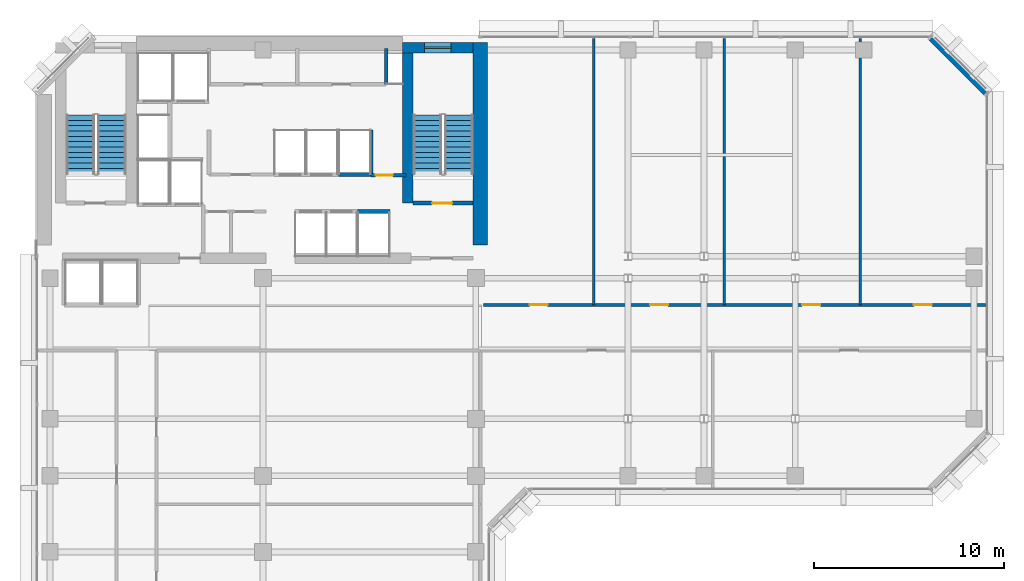
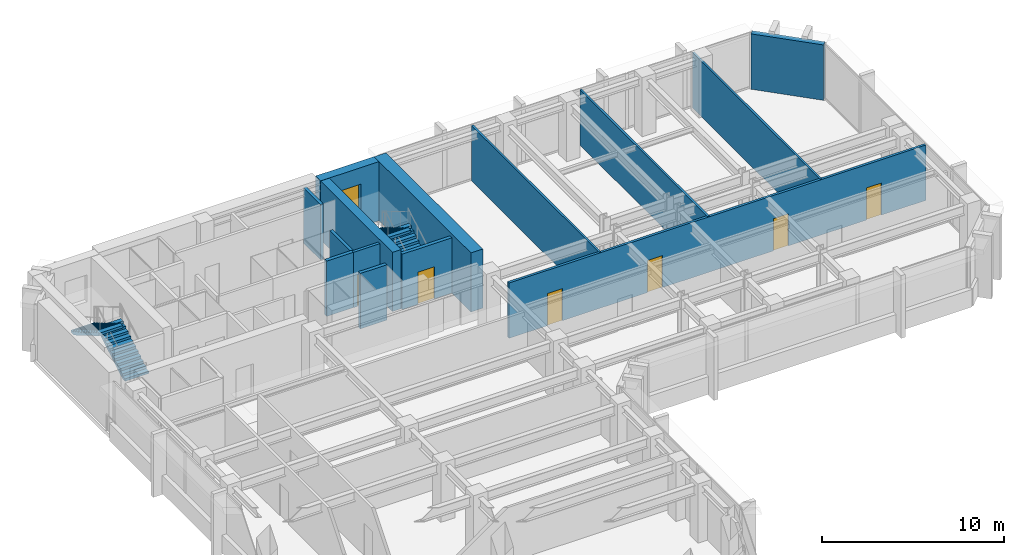
# One storey, part 8 of 11: 14 walls, 6 doors, 4 stair flights, 1 window, 7 openings, 2 elements without a shape of their own.
"""IFC4 building model written with IfcOpenShell, lengths in metres."""

from ifc_helpers import new_model, si_unit, direction, frame, frame_2d, origin, place, context, subcontext, project, spatial, polyline, rectangle, outline, extrude, material, layer, layer_set, type_object, element, fill, aggregate, save


model = new_model("IFC4")

# Units and contexts
model_context = context("Model", 3, precision=1e-05, world=origin(), true_north=direction((0.0, 1.0)))
body_context = subcontext(model_context, "Body", "Model", "MODEL_VIEW")
ifc_project = project(units=[si_unit("LENGTHUNIT", "METRE"), si_unit("AREAUNIT", "SQUARE_METRE"), si_unit("VOLUMEUNIT", "CUBIC_METRE"), si_unit("PLANEANGLEUNIT", "RADIAN"), si_unit("MASSUNIT", "GRAM", prefix="KILO")], contexts=[model_context])

# Site, building, storey
site_placement = place(None, origin())
site = spatial("IfcSite", under=ifc_project, at=site_placement, CompositionType="ELEMENT")
building_placement = place(site_placement, origin())
building = spatial("IfcBuilding", under=site, at=building_placement, Name="Kefirva Bronze Tower", CompositionType="ELEMENT")
storey_placement = place(building_placement, frame((0.0, 0.0, 138.929931640625)))
storey = spatial("IfcBuildingStorey", under=building, at=storey_placement, Name="L33", CompositionType="ELEMENT", Elevation=138.929931640625)

# Walls
ifc_material_1 = material(Name="Gypsum acoustic partition")
ifc_layer_1 = layer(ifc_material_1, 0.1298828125, Name="Gypsum acoustic partition")
ifc_layer_set_1 = layer_set([ifc_layer_1], Name="Gypsum acoustic partition")
wall_type_1 = type_object("IfcWallType", Name="Acoustic Office Partition 130mm", PredefinedType="PARTITIONING", material=ifc_layer_set_1)
for number, where, z_axis, x_axis, name in (
    (1, (29.41015625, 31.800048828125, 0.0), (0.0, 0.0, 1.0), (0.0, 1.0, 0.0), "L33 Partition W-L33-END1"),
    (2, (36.27685546875, 31.800048828125, 0.0), (0.0, 0.0, 1.0), (0.0, 1.0, 0.0), "L33 Partition W-L33-END2"),
    (3, (43.407470703125, 31.800048828125, 0.0), (0.0, 0.0, 1.0), (0.0, 1.0, 0.0), "L33 Partition W-L33-END3"),
):
    element("IfcWall", number, at=place(storey_placement, frame(where, z_axis=z_axis, x_axis=x_axis)), inside=storey, type_object=wall_type_1, Name=name, PredefinedType="PARTITIONING", context=body_context, shape_type="SweptSolid", body=[
        extrude(rectangle(XDim=14.010009765625, YDim=0.1298828125, at=frame_2d((7.0048828125, 0.0))), origin(), (0.0, 0.0, 1.0), 3.7099609375),
    ])

# Wall, opening, door
ifc_material_2 = material(Name="Gypsum fireboard shaftwall")
ifc_layer_2 = layer(ifc_material_2, 0.219970703125, Name="Gypsum fireboard shaftwall")
ifc_layer_set_2 = layer_set([ifc_layer_2], Name="Gypsum fireboard shaftwall")
wall_type_2 = type_object("IfcWallType", Name="Fire-Rated Shaft Enclosure Wall 220mm", PredefinedType="PARTITIONING", material=ifc_layer_set_2)
wall_1_placement = place(storey_placement, frame((19.89990234375, 37.14990234375, 0.0), z_axis=(0.0, 0.0, 1.0), x_axis=(1.0, 0.0, 0.0)))
wall_1 = element("IfcWall", 4, at=wall_1_placement, inside=storey, type_object=wall_type_2, Name="L33 Partition W-L33-ST2S", PredefinedType="PARTITIONING", context=body_context, shape_type="SweptSolid", body=[
    extrude(rectangle(XDim=3.150146484375, YDim=0.219970703125, at=frame_2d((1.5751953125, 0.0))), origin(), (0.0, 0.0, 1.0), 3.7099609375),
])
opening_1_placement = place(wall_1_placement, frame((2.050048828125, 0.0, 0.0), z_axis=(0.0, 0.0, 1.0), x_axis=(-1.0, 0.0, 0.0)))
opening_1 = element("IfcOpeningElement", 5, at=opening_1_placement, cuts=wall_1, Name="Opening L33-D003", PredefinedType="OPENING", context=body_context, shape_type="SweptSolid", body=[
    extrude(rectangle(XDim=1.050048828125, YDim=2.14990234375, at=frame_2d((0.52490234375, 1.074951171875))), frame((0.0, 0.1201171875, 0.0), z_axis=(0.0, -1.0, 0.0), x_axis=(1.0, 0.0, 0.0)), (0.0, 0.0, 1.0), 0.239990234375),
])
ifc_material_3 = material(Name="Painted galvanized steel", Category="steel")
door_type_1 = type_object("IfcDoorType", Name="Fire Stair Enclosure Door 1050x2150 FD90S", OperationType="NOTDEFINED", PredefinedType="DOOR", material=ifc_material_3)
door_1_placement = place(opening_1_placement, origin())
door_1 = element("IfcDoor", 6, at=door_1_placement, inside=storey, type_object=door_type_1, Name="Door L33-D003", OperationType="SINGLE_SWING_LEFT", OverallHeight=2.14990234375, OverallWidth=1.050048828125, PredefinedType="DOOR", context=body_context, shape_type="SweptSolid", body=[
    extrude(rectangle(XDim=1.050048828125, YDim=2.14990234375, at=frame_2d((0.52490234375, 1.074951171875))), frame((0.0, 0.02490234375, 0.0), z_axis=(0.0, -1.0, 0.0), x_axis=(1.0, 0.0, 0.0)), (0.0, 0.0, 1.0), 0.050048828125),
])
fill(opening_1, door_1)

# Walls
wall_2_placement = place(storey_placement, frame((17.679931640625, 38.64990234375, 0.0), z_axis=(0.0, 0.0, 1.0), x_axis=(0.0, 1.0, 0.0)))
element("IfcWall", 7, at=wall_2_placement, inside=storey, type_object=wall_type_2, Name="L33 Partition W-L33-HP2E", PredefinedType="PARTITIONING", context=body_context, shape_type="SweptSolid", body=[
    extrude(rectangle(XDim=2.35009765625, YDim=0.199951171875, at=frame_2d((1.175048828125, 0.0))), origin(), (0.0, 0.0, 1.0), 3.7099609375),
])
wall_3_placement = place(storey_placement, frame((16.97998046875, 36.699951171875, 0.0), z_axis=(0.0, 0.0, 1.0), x_axis=(1.0, 0.0, 0.0)))
element("IfcWall", 8, at=wall_3_placement, inside=storey, type_object=wall_type_2, Name="L33 Partition W-L33-HPS", PredefinedType="PARTITIONING", context=body_context, shape_type="SweptSolid", body=[
    extrude(rectangle(XDim=1.699951171875, YDim=0.219970703125, at=frame_2d((0.85009765625, 0.0))), origin(), (0.0, 0.0, 1.0), 3.7099609375),
])
wall_4_placement = place(storey_placement, frame((15.97998046875, 38.64990234375, 0.0), z_axis=(0.0, 0.0, 1.0), x_axis=(1.0, 0.0, 0.0)))
element("IfcWall", 9, at=wall_4_placement, inside=storey, type_object=wall_type_2, Name="L33 Partition W-L33-HPN", PredefinedType="PARTITIONING", context=body_context, shape_type="SweptSolid", body=[
    extrude(rectangle(XDim=1.719970703125, YDim=0.219970703125, at=frame_2d((0.85986328125, 0.0))), origin(), (0.0, 0.0, 1.0), 3.7099609375),
])

# Wall, opening, door
ifc_material_4 = material(Name="Gypsum fireboard barrier")
ifc_layer_3 = layer(ifc_material_4, 0.199951171875, Name="Gypsum fireboard barrier")
ifc_layer_set_3 = layer_set([ifc_layer_3], Name="Gypsum fireboard barrier")
wall_type_3 = type_object("IfcWallType", Name="Firefighting Lobby Barrier Wall 200mm", PredefinedType="PARTITIONING", material=ifc_layer_set_3)
wall_5_placement = place(storey_placement, frame((17.679931640625, 38.6201171875, 0.0), z_axis=(0.0, 0.0, 1.0), x_axis=(1.0, 0.0, 0.0)))
wall_5 = element("IfcWall", 10, at=wall_5_placement, inside=storey, type_object=wall_type_3, Name="L33 Partition W-L33-CPASS", PredefinedType="PARTITIONING", context=body_context, shape_type="SweptSolid", body=[
    extrude(rectangle(XDim=1.840087890625, YDim=0.179931640625, at=frame_2d((0.919921875, 0.0))), origin(), (0.0, 0.0, 1.0), 3.7099609375),
])
opening_2_placement = place(wall_5_placement, frame((0.239990234375, 0.0, 0.0)))
opening_2 = element("IfcOpeningElement", 11, at=opening_2_placement, cuts=wall_5, Name="Opening L33-D-CPAS", PredefinedType="OPENING", context=body_context, shape_type="SweptSolid", body=[
    extrude(rectangle(XDim=0.919921875, YDim=2.10009765625, at=frame_2d((0.4599609375, 1.050048828125))), frame((0.0, 0.10009765625, 0.0), z_axis=(0.0, -1.0, 0.0), x_axis=(1.0, 0.0, 0.0)), (0.0, 0.0, 1.0), 0.199951171875),
])
ifc_material_5 = material(Name="Moisture-resistant timber", Category="wood")
door_type_2 = type_object("IfcDoorType", Name="Accessible Sanitary & WC Door 920x2100", OperationType="NOTDEFINED", PredefinedType="DOOR", material=ifc_material_5)
door_2_placement = place(opening_2_placement, origin())
door_2 = element("IfcDoor", 12, at=door_2_placement, inside=storey, type_object=door_type_2, Name="Door L33-D-CPAS", OperationType="SINGLE_SWING_LEFT", OverallHeight=2.10009765625, OverallWidth=0.919921875, PredefinedType="DOOR", context=body_context, shape_type="SweptSolid", body=[
    extrude(rectangle(XDim=0.919921875, YDim=2.10009765625, at=frame_2d((0.4599609375, 1.050048828125))), frame((0.0, 0.02490234375, 0.0), z_axis=(0.0, -1.0, 0.0), x_axis=(1.0, 0.0, 0.0)), (0.0, 0.0, 1.0), 0.050048828125),
])
fill(opening_2, door_2)

# Wall
ifc_material_6 = material(Name="Precast concrete C40/50", Category="concrete")
ifc_layer_4 = layer(ifc_material_6, 0.320068359375, Name="Precast concrete C40/50")
ifc_layer_set_4 = layer_set([ifc_layer_4], Name="Precast concrete C40/50")
wall_type_4 = type_object("IfcWallType", Name="Precast Insulated Exterior Wall 320mm", PredefinedType="SOLIDWALL", material=ifc_layer_set_4)
wall_6_placement = place(storey_placement, frame((50.048095703125, 42.92578125, 0.0), z_axis=(0.0, 0.0, 1.0), x_axis=(-0.707136318428, 0.707077242712, 0.0)))
element("IfcWall", 13, at=wall_6_placement, inside=storey, type_object=wall_type_4, Name="L33 Exterior Facade Wall 4", PredefinedType="SOLIDWALL", context=body_context, shape_type="SweptSolid", body=[
    extrude(rectangle(XDim=4.132568359375, YDim=0.320068359375, at=frame_2d((2.06640625, 0.0))), origin(), (0.0, 0.0, 1.0), 3.7099609375),
])

# Wall, openings, doors
ifc_layer_5 = layer(ifc_material_1, 0.159912109375, Name="Gypsum acoustic partition")
ifc_layer_set_5 = layer_set([ifc_layer_5], Name="Gypsum acoustic partition")
wall_type_5 = type_object("IfcWallType", Name="Protected Corridor Partition 160mm", PredefinedType="PARTITIONING", material=ifc_layer_set_5)
wall_7_placement = place(storey_placement, frame((23.60009765625, 31.800048828125, 0.0), z_axis=(0.0, 0.0, 1.0), x_axis=(1.0, 0.0, 0.0)))
wall_7 = element("IfcWall", 14, at=wall_7_placement, inside=storey, type_object=wall_type_5, Name="L33 Partition W-L33-EWN", PredefinedType="PARTITIONING", context=body_context, shape_type="SweptSolid", body=[
    extrude(rectangle(XDim=26.409912109375, YDim=0.159912109375, at=frame_2d((13.205078125, 0.0))), origin(), (0.0, 0.0, 1.0), 3.7099609375),
])
opening_3_placement = place(wall_7_placement, frame((2.43017578125, 0.0, 0.0)))
opening_3 = element("IfcOpeningElement", 15, at=opening_3_placement, cuts=wall_7, Name="Opening L33-D-EN1", PredefinedType="OPENING", context=body_context, shape_type="SweptSolid", body=[
    extrude(rectangle(XDim=0.949951171875, YDim=2.14990234375, at=frame_2d((0.47509765625, 1.074951171875))), frame((0.0, 0.08984375, 0.0), z_axis=(0.0, -1.0, 0.0), x_axis=(1.0, 0.0, 0.0)), (0.0, 0.0, 1.0), 0.179931640625),
])
opening_4_placement = place(wall_7_placement, frame((8.7685546875, 0.0, 0.0)))
opening_4 = element("IfcOpeningElement", 16, at=opening_4_placement, cuts=wall_7, Name="Opening L33-D-EN2", PredefinedType="OPENING", context=body_context, shape_type="SweptSolid", body=[
    extrude(rectangle(XDim=0.949951171875, YDim=2.14990234375, at=frame_2d((0.47509765625, 1.074951171875))), frame((0.0, 0.08984375, 0.0), z_axis=(0.0, -1.0, 0.0), x_axis=(1.0, 0.0, 0.0)), (0.0, 0.0, 1.0), 0.179931640625),
])
opening_5_placement = place(wall_7_placement, frame((16.76708984375, 0.0, 0.0)))
opening_5 = element("IfcOpeningElement", 17, at=opening_5_placement, cuts=wall_7, Name="Opening L33-D-EN3", PredefinedType="OPENING", context=body_context, shape_type="SweptSolid", body=[
    extrude(rectangle(XDim=0.949951171875, YDim=2.14990234375, at=frame_2d((0.47509765625, 1.074951171875))), frame((0.0, 0.08984375, 0.0), z_axis=(0.0, -1.0, 0.0), x_axis=(1.0, 0.0, 0.0)), (0.0, 0.0, 1.0), 0.179931640625),
])
opening_6_placement = place(wall_7_placement, frame((22.6337890625, 0.0, 0.0)))
opening_6 = element("IfcOpeningElement", 18, at=opening_6_placement, cuts=wall_7, Name="Opening L33-D-EN4", PredefinedType="OPENING", context=body_context, shape_type="SweptSolid", body=[
    extrude(rectangle(XDim=0.949951171875, YDim=2.14990234375, at=frame_2d((0.47509765625, 1.074951171875))), frame((0.0, 0.08984375, 0.0), z_axis=(0.0, -1.0, 0.0), x_axis=(1.0, 0.0, 0.0)), (0.0, 0.0, 1.0), 0.179931640625),
])
ifc_material_7 = material(Name="Acoustic hardwood oak", Category="wood")
door_type_3 = type_object("IfcDoorType", Name="Office & Meeting Room Door 950x2150", OperationType="NOTDEFINED", PredefinedType="DOOR", material=ifc_material_7)
door_3_placement = place(opening_3_placement, origin())
door_3 = element("IfcDoor", 19, at=door_3_placement, inside=storey, type_object=door_type_3, Name="Door L33-D-EN1", OperationType="SINGLE_SWING_LEFT", OverallHeight=2.14990234375, OverallWidth=0.949951171875, PredefinedType="DOOR", context=body_context, shape_type="SweptSolid", body=[
    extrude(rectangle(XDim=0.949951171875, YDim=2.14990234375, at=frame_2d((0.47509765625, 1.074951171875))), frame((0.0, 0.02490234375, 0.0), z_axis=(0.0, -1.0, 0.0), x_axis=(1.0, 0.0, 0.0)), (0.0, 0.0, 1.0), 0.050048828125),
])
fill(opening_3, door_3)
door_4_placement = place(opening_4_placement, origin())
door_4 = element("IfcDoor", 20, at=door_4_placement, inside=storey, type_object=door_type_3, Name="Door L33-D-EN2", OperationType="SINGLE_SWING_RIGHT", OverallHeight=2.14990234375, OverallWidth=0.949951171875, PredefinedType="DOOR", context=body_context, shape_type="SweptSolid", body=[
    extrude(rectangle(XDim=0.949951171875, YDim=2.14990234375, at=frame_2d((0.47509765625, 1.074951171875))), frame((0.0, 0.02490234375, 0.0), z_axis=(0.0, -1.0, 0.0), x_axis=(1.0, 0.0, 0.0)), (0.0, 0.0, 1.0), 0.050048828125),
])
fill(opening_4, door_4)
door_5_placement = place(opening_5_placement, origin())
door_5 = element("IfcDoor", 21, at=door_5_placement, inside=storey, type_object=door_type_3, Name="Door L33-D-EN3", OperationType="SINGLE_SWING_LEFT", OverallHeight=2.14990234375, OverallWidth=0.949951171875, PredefinedType="DOOR", context=body_context, shape_type="SweptSolid", body=[
    extrude(rectangle(XDim=0.949951171875, YDim=2.14990234375, at=frame_2d((0.47509765625, 1.074951171875))), frame((0.0, 0.02490234375, 0.0), z_axis=(0.0, -1.0, 0.0), x_axis=(1.0, 0.0, 0.0)), (0.0, 0.0, 1.0), 0.050048828125),
])
fill(opening_5, door_5)
door_6_placement = place(opening_6_placement, origin())
door_6 = element("IfcDoor", 22, at=door_6_placement, inside=storey, type_object=door_type_3, Name="Door L33-D-EN4", OperationType="SINGLE_SWING_RIGHT", OverallHeight=2.14990234375, OverallWidth=0.949951171875, PredefinedType="DOOR", context=body_context, shape_type="SweptSolid", body=[
    extrude(rectangle(XDim=0.949951171875, YDim=2.14990234375, at=frame_2d((0.47509765625, 1.074951171875))), frame((0.0, 0.02490234375, 0.0), z_axis=(0.0, -1.0, 0.0), x_axis=(1.0, 0.0, 0.0)), (0.0, 0.0, 1.0), 0.050048828125),
])
fill(opening_6, door_6)

# Wall, opening, window
ifc_material_8 = material(Name="Concrete C50/60", Category="concrete")
ifc_layer_6 = layer(ifc_material_8, 0.550048828125, Name="Concrete C50/60")
ifc_layer_set_6 = layer_set([ifc_layer_6], Name="Concrete C50/60")
wall_type_6 = type_object("IfcWallType", Name="RC Rear Core Exterior Wall 550mm", PredefinedType="SHEAR", material=ifc_layer_set_6)
wall_8_placement = place(storey_placement, frame((19.35009765625, 45.320068359375, 0.0), z_axis=(0.0, 0.0, 1.0), x_axis=(1.0, 0.0, 0.0)))
wall_8 = element("IfcWall", 23, at=wall_8_placement, inside=storey, type_object=wall_type_6, Name="L33 Stair 2 North Shear Wall", PredefinedType="SHEAR", context=body_context, shape_type="SweptSolid", body=[
    extrude(rectangle(XDim=3.68994140625, YDim=0.550048828125, at=frame_2d((1.844970703125, 0.0))), origin(), (0.0, 0.0, 1.0), 3.9599609375),
])
opening_7_placement = place(wall_8_placement, frame((1.14990234375, 0.0, 1.050048828125)))
opening_7 = element("IfcOpeningElement", 24, at=opening_7_placement, cuts=wall_8, Name="Opening WN-03", PredefinedType="OPENING", context=body_context, shape_type="SweptSolid", body=[
    extrude(rectangle(XDim=1.39990234375, YDim=1.800048828125, at=frame_2d((0.699951171875, 0.89990234375))), frame((0.0, 0.28515625, 0.0), z_axis=(0.0, -1.0, 0.0), x_axis=(1.0, 0.0, 0.0)), (0.0, 0.0, 1.0), 0.570068359375),
])
ifc_material_9 = material(Name="Laminated low-E double glazing", Category="glass")
window_type = type_object("IfcWindowType", Name="Rear-Core Stair Daylight Window 1400x1800", PartitioningType="SINGLE_PANEL", PredefinedType="WINDOW", material=ifc_material_9)
window_placement = place(opening_7_placement, origin())
window = element("IfcWindow", 25, at=window_placement, inside=storey, type_object=window_type, Name="L33 Stair 2 Daylight Window", OverallHeight=1.800048828125, OverallWidth=1.39990234375, PartitioningType="SINGLE_PANEL", PredefinedType="WINDOW", context=body_context, shape_type="SweptSolid", body=[
    extrude(rectangle(XDim=1.39990234375, YDim=1.800048828125, at=frame_2d((0.699951171875, 0.89990234375))), frame((0.0, 0.030029296875, 0.0), z_axis=(0.0, -1.0, 0.0), x_axis=(1.0, 0.0, 0.0)), (0.0, 0.0, 1.0), 0.06005859375),
])
fill(opening_7, window)

# Walls
ifc_layer_7 = layer(ifc_material_8, 0.550048828125, Name="Concrete C50/60")
ifc_layer_set_7 = layer_set([ifc_layer_7], Name="Concrete C50/60")
wall_type_7 = type_object("IfcWallType", Name="RC Rear Core Interior Wall 550mm", PredefinedType="SHEAR", material=ifc_layer_set_7)
wall_9_placement = place(storey_placement, frame((19.6201171875, 37.14990234375, 0.0), z_axis=(0.0, 0.0, 1.0), x_axis=(0.0, 1.0, 0.0)))
element("IfcWall", 26, at=wall_9_placement, inside=storey, type_object=wall_type_7, Name="L33 Stair 2 West Shear Wall", PredefinedType="SHEAR", context=body_context, shape_type="SweptSolid", body=[
    extrude(rectangle(XDim=7.89013671875, YDim=0.550048828125, at=frame_2d((3.945068359375, 0.0))), origin(), (0.0, 0.0, 1.0), 3.9599609375),
])
ifc_material_10 = material(Name="Concrete C60/75", Category="concrete")
ifc_layer_8 = layer(ifc_material_10, 0.75, Name="Concrete C60/75")
ifc_layer_set_8 = layer_set([ifc_layer_8], Name="Concrete C60/75")
wall_type_8 = type_object("IfcWallType", Name="RC Rear Core Interior Wall 750mm", PredefinedType="SHEAR", material=ifc_layer_set_8)
wall_10_placement = place(storey_placement, frame((23.425048828125, 34.949951171875, 0.0), z_axis=(0.0, 0.0, 1.0), x_axis=(0.0, 1.0, 0.0)))
element("IfcWall", 27, at=wall_10_placement, inside=storey, type_object=wall_type_8, Name="L33 Rear Core East Shear Wall", PredefinedType="SHEAR", context=body_context, shape_type="SweptSolid", body=[
    extrude(rectangle(XDim=10.64013671875, YDim=0.75, at=frame_2d((5.320068359375, 0.0))), origin(), (0.0, 0.0, 1.0), 3.9599609375),
])
ifc_material_11 = material(Name="Moisture-resistant partition")
ifc_layer_9 = layer(ifc_material_11, 0.179931640625, Name="Moisture-resistant partition")
ifc_layer_set_9 = layer_set([ifc_layer_9], Name="Moisture-resistant partition")
wall_type_9 = type_object("IfcWallType", Name="Sanitary Plumbing Chase Wall 180mm", PredefinedType="PLUMBINGWALL", material=ifc_layer_set_9)
wall_11_placement = place(storey_placement, frame((18.47998046875, 43.39990234375, 0.0), z_axis=(0.0, 0.0, 1.0), x_axis=(0.0, 1.0, 0.0)))
element("IfcWall", 28, at=wall_11_placement, inside=storey, type_object=wall_type_9, Name="L33 Partition W-L33-SVCE", PredefinedType="PLUMBINGWALL", context=body_context, shape_type="SweptSolid", body=[
    extrude(rectangle(XDim=1.880126953125, YDim=0.179931640625, at=frame_2d((0.93994140625, 0.0))), origin(), (0.0, 0.0, 1.0), 3.7099609375),
])

# Stair, stair flights
ifc_material_12 = material(Name="Concrete C40/50", Category="concrete")
stair_type = type_object("IfcStairType", Name="RC Dogleg Protected Stair 24R", PredefinedType="HALF_TURN_STAIR", material=ifc_material_12)
stair_1_placement = place(storey_placement, origin())
stair_1 = element("IfcStair", 29, at=stair_1_placement, inside=storey, type_object=stair_type, Name="L33 Protected Exit Stair 1", PredefinedType="HALF_TURN_STAIR")
stair_flight_type = type_object("IfcStairFlightType", Name="RC Straight Stair Flight 24R", PredefinedType="STRAIGHT", material=ifc_material_12)
stair_flight_1_placement = place(storey_placement, frame((4.050048828125, 38.699951171875, 0.0), z_axis=(0.0, 0.0, 1.0), x_axis=(0.0, 1.0, 0.0)))
stair_flight_1 = element("IfcStairFlight", 30, at=stair_flight_1_placement, type_object=stair_flight_type, Name="ST-1 flight 1", NumberOfRisers=12, NumberOfTreads=11, PredefinedType="STRAIGHT", RiserHeight=0.165, TreadLength=0.28, context=body_context, shape_type="SweptSolid", body=[
    extrude(outline(polyline([(0.0, 0.0), (0.0, 0.1650390625), (0.280029296875, 0.1650390625), (0.280029296875, 0.330078125), (0.56005859375, 0.330078125), (0.56005859375, 0.4951171875), (0.840087890625, 0.4951171875), (0.840087890625, 0.659912109375), (1.1201171875, 0.659912109375), (1.1201171875, 0.824951171875), (1.39990234375, 0.824951171875), (1.39990234375, 0.989990234375), (1.679931640625, 0.989990234375), (1.679931640625, 1.155029296875), (1.9599609375, 1.155029296875), (1.9599609375, 1.320068359375), (2.239990234375, 1.320068359375), (2.239990234375, 1.485107421875), (2.52001953125, 1.485107421875), (2.52001953125, 1.64990234375), (2.800048828125, 1.64990234375), (2.800048828125, 1.81494140625), (3.080078125, 1.81494140625), (3.080078125, 1.97998046875), (3.080078125, 1.64111328125), (0.295166015625, 0.0), (0.0, 0.0)])), frame((0.0, 0.75, 0.0), z_axis=(0.0, -1.0, 0.0), x_axis=(1.0, 0.0, 0.0)), (0.0, 0.0, 1.0), 1.5),
])
stair_flight_2_placement = place(storey_placement, frame((2.39990234375, 41.780029296875, 1.97998046875), z_axis=(0.0, 0.0, 1.0), x_axis=(0.0, -1.0, 0.0)))
stair_flight_2 = element("IfcStairFlight", 31, at=stair_flight_2_placement, type_object=stair_flight_type, Name="ST-1 flight 2", NumberOfRisers=12, NumberOfTreads=11, PredefinedType="STRAIGHT", RiserHeight=0.165, TreadLength=0.28, context=body_context, shape_type="SweptSolid", body=[
    extrude(outline(polyline([(0.0, 0.0), (0.0, 0.1650390625), (0.280029296875, 0.1650390625), (0.280029296875, 0.330078125), (0.56005859375, 0.330078125), (0.56005859375, 0.4951171875), (0.840087890625, 0.4951171875), (0.840087890625, 0.659912109375), (1.1201171875, 0.659912109375), (1.1201171875, 0.824951171875), (1.39990234375, 0.824951171875), (1.39990234375, 0.989990234375), (1.679931640625, 0.989990234375), (1.679931640625, 1.155029296875), (1.9599609375, 1.155029296875), (1.9599609375, 1.320068359375), (2.239990234375, 1.320068359375), (2.239990234375, 1.485107421875), (2.52001953125, 1.485107421875), (2.52001953125, 1.64990234375), (2.800048828125, 1.64990234375), (2.800048828125, 1.81494140625), (3.080078125, 1.81494140625), (3.080078125, 1.97998046875), (3.080078125, 1.64111328125), (0.295166015625, 0.0), (0.0, 0.0)])), frame((0.0, 0.75, 0.0), z_axis=(0.0, -1.0, 0.0), x_axis=(1.0, 0.0, 0.0)), (0.0, 0.0, 1.0), 1.5),
])
aggregate(stair_1, [stair_flight_1, stair_flight_2])

stair_2_placement = place(storey_placement, origin())
stair_2 = element("IfcStair", 32, at=stair_2_placement, inside=storey, type_object=stair_type, Name="L33 Protected Exit Stair 2", PredefinedType="HALF_TURN_STAIR")
stair_flight_3_placement = place(storey_placement, frame((22.300048828125, 38.699951171875, 0.0), z_axis=(0.0, 0.0, 1.0), x_axis=(0.0, 1.0, 0.0)))
stair_flight_3 = element("IfcStairFlight", 33, at=stair_flight_3_placement, type_object=stair_flight_type, Name="ST-2 flight 1", NumberOfRisers=12, NumberOfTreads=11, PredefinedType="STRAIGHT", RiserHeight=0.165, TreadLength=0.28, context=body_context, shape_type="SweptSolid", body=[
    extrude(outline(polyline([(0.0, 0.0), (0.0, 0.1650390625), (0.280029296875, 0.1650390625), (0.280029296875, 0.330078125), (0.56005859375, 0.330078125), (0.56005859375, 0.4951171875), (0.840087890625, 0.4951171875), (0.840087890625, 0.659912109375), (1.1201171875, 0.659912109375), (1.1201171875, 0.824951171875), (1.39990234375, 0.824951171875), (1.39990234375, 0.989990234375), (1.679931640625, 0.989990234375), (1.679931640625, 1.155029296875), (1.9599609375, 1.155029296875), (1.9599609375, 1.320068359375), (2.239990234375, 1.320068359375), (2.239990234375, 1.485107421875), (2.52001953125, 1.485107421875), (2.52001953125, 1.64990234375), (2.800048828125, 1.64990234375), (2.800048828125, 1.81494140625), (3.080078125, 1.81494140625), (3.080078125, 1.97998046875), (3.080078125, 1.64111328125), (0.295166015625, 0.0), (0.0, 0.0)])), frame((0.0, 0.75, 0.0), z_axis=(0.0, -1.0, 0.0), x_axis=(1.0, 0.0, 0.0)), (0.0, 0.0, 1.0), 1.5),
])
stair_flight_4_placement = place(storey_placement, frame((20.64990234375, 41.780029296875, 1.97998046875), z_axis=(0.0, 0.0, 1.0), x_axis=(0.0, -1.0, 0.0)))
stair_flight_4 = element("IfcStairFlight", 34, at=stair_flight_4_placement, type_object=stair_flight_type, Name="ST-2 flight 2", NumberOfRisers=12, NumberOfTreads=11, PredefinedType="STRAIGHT", RiserHeight=0.165, TreadLength=0.28, context=body_context, shape_type="SweptSolid", body=[
    extrude(outline(polyline([(0.0, 0.0), (0.0, 0.1650390625), (0.280029296875, 0.1650390625), (0.280029296875, 0.330078125), (0.56005859375, 0.330078125), (0.56005859375, 0.4951171875), (0.840087890625, 0.4951171875), (0.840087890625, 0.659912109375), (1.1201171875, 0.659912109375), (1.1201171875, 0.824951171875), (1.39990234375, 0.824951171875), (1.39990234375, 0.989990234375), (1.679931640625, 0.989990234375), (1.679931640625, 1.155029296875), (1.9599609375, 1.155029296875), (1.9599609375, 1.320068359375), (2.239990234375, 1.320068359375), (2.239990234375, 1.485107421875), (2.52001953125, 1.485107421875), (2.52001953125, 1.64990234375), (2.800048828125, 1.64990234375), (2.800048828125, 1.81494140625), (3.080078125, 1.81494140625), (3.080078125, 1.97998046875), (3.080078125, 1.64111328125), (0.295166015625, 0.0), (0.0, 0.0)])), frame((0.0, 0.75, 0.0), z_axis=(0.0, -1.0, 0.0), x_axis=(1.0, 0.0, 0.0)), (0.0, 0.0, 1.0), 1.5),
])
aggregate(stair_2, [stair_flight_3, stair_flight_4])

save(model, "model.ifc")
